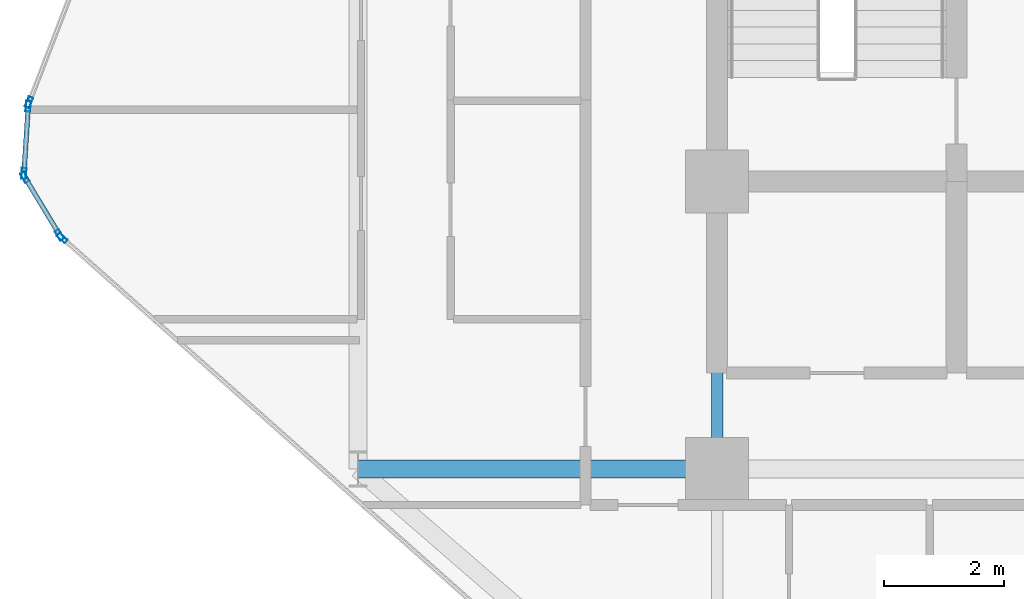
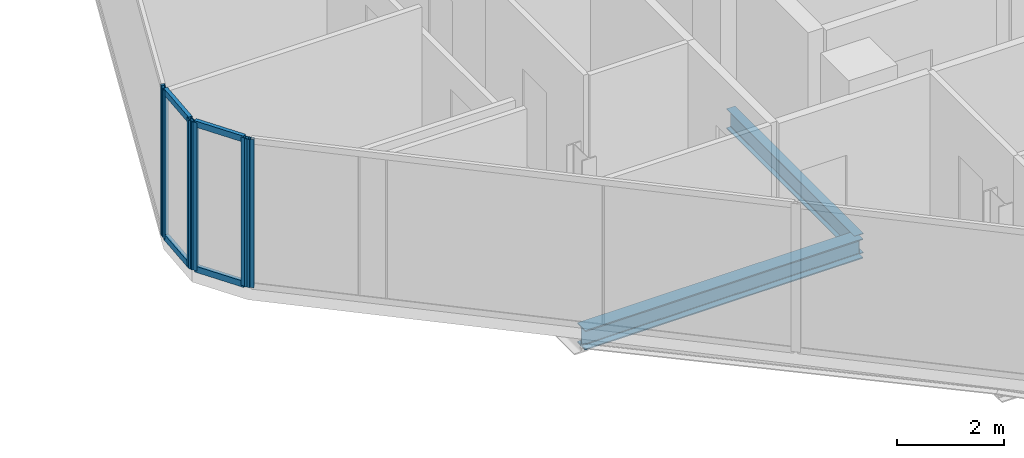
# One storey, part 6 of 30: 10 members, 2 beams, 4 elements without a shape of their own.
"""IFC4 building model written with IfcOpenShell, lengths in metres."""

from ifc_helpers import new_model, si_unit, direction, frame, origin, origin_2d, place, context, subcontext, project, spatial, hollow_rectangle, i_section, extrude, material, layer, layer_set, material_profile, profile_set, type_object, element, aggregate, save


model = new_model("IFC4")

# Units and contexts
model_context = context("Model", 3, precision=1e-05, world=origin(), true_north=direction((0.0, 1.0)))
body_context = subcontext(model_context, "Body", "Model", "MODEL_VIEW")
ifc_project = project(units=[si_unit("LENGTHUNIT", "METRE"), si_unit("AREAUNIT", "SQUARE_METRE"), si_unit("VOLUMEUNIT", "CUBIC_METRE"), si_unit("PLANEANGLEUNIT", "RADIAN"), si_unit("MASSUNIT", "GRAM", prefix="KILO")], contexts=[model_context])

# Site, building, storey
site_placement = place(None, origin())
site = spatial("IfcSite", under=ifc_project, at=site_placement, CompositionType="ELEMENT")
building_placement = place(site_placement, origin())
building = spatial("IfcBuilding", under=site, at=building_placement, Name="Keshet Zoharim Tower", CompositionType="ELEMENT")
storey_placement = place(building_placement, frame((0.0, 0.0, 113.10009765625)))
storey = spatial("IfcBuildingStorey", under=building, at=storey_placement, Name="L27", CompositionType="ELEMENT", Elevation=113.10009765625)

# Beams
ifc_material_1 = material(Name="Steel S355", Category="steel")
ifc_material_profile_1 = material_profile(ifc_material_1, i_section(OverallWidth=0.18994140625, OverallDepth=0.449951171875, WebThickness=0.009521484375, FlangeThickness=0.0146484375, FilletRadius=0.02099609375, at=origin_2d()), Name="IPE450")
ifc_profile_set_1 = profile_set([ifc_material_profile_1], Name="Steel S355")
beam_type_1 = type_object("IfcBeamType", Name="BM-PRI-IP450", PredefinedType="BEAM", material=ifc_profile_set_1)
beam_1_placement = place(storey_placement, frame((15.0, 17.89990234375, -0.5400390625), z_axis=(0.0, 1.0, 0.0), x_axis=(-1.0, 0.0, 0.0)))
element("IfcBeam", 1, at=beam_1_placement, inside=storey, type_object=beam_type_1, Name="L27 Primary Girder Y-003", PredefinedType="BEAM", context=body_context, shape_type="SweptSolid", body=[
    extrude(i_section(OverallWidth=0.18994140625, OverallDepth=0.449951171875, WebThickness=0.009521484375, FlangeThickness=0.0146484375, FilletRadius=0.02099609375, at=origin_2d()), origin(), (0.0, 0.0, 1.0), 4.800048828125),
])
ifc_material_profile_2 = material_profile(ifc_material_1, i_section(OverallWidth=0.300048828125, OverallDepth=0.449951171875, WebThickness=0.013916015625, FlangeThickness=0.02587890625, FilletRadius=0.027099609375, at=origin_2d()), Name="HEB450")
ifc_profile_set_2 = profile_set([ifc_material_profile_2], Name="Steel S355")
beam_type_2 = type_object("IfcBeamType", Name="BM-WEB-HB450", PredefinedType="BEAM", material=ifc_profile_set_2)
beam_2_placement = place(storey_placement, frame((9.0, 17.89990234375, -0.5400390625), z_axis=(1.0, 0.0, 0.0), x_axis=(0.0, 1.0, 0.0)))
element("IfcBeam", 2, at=beam_2_placement, inside=storey, type_object=beam_type_2, Name="L27 Primary Girder X-011", PredefinedType="BEAM", context=body_context, shape_type="SweptSolid", body=[
    extrude(i_section(OverallWidth=0.300048828125, OverallDepth=0.449951171875, WebThickness=0.013916015625, FlangeThickness=0.02587890625, FilletRadius=0.027099609375, at=origin_2d()), origin(), (0.0, 0.0, 1.0), 6.0),
])

# Curtain wall, member
ifc_material_2 = material(Name="Aluminium 6063-T6", Category="aluminium")
ifc_layer = layer(ifc_material_2, 0.159912109375)
ifc_layer_set = layer_set([ifc_layer], Name="Aluminium 6063-T6")
curtain_wall_type = type_object("IfcCurtainWallType", Name="CW-SYS-03", PredefinedType="NOTDEFINED", material=ifc_layer_set)
curtain_wall_1_placement = place(storey_placement, origin())
curtain_wall_1 = element("IfcCurtainWall", 3, at=curtain_wall_1_placement, inside=storey, type_object=curtain_wall_type, Name="L27 Unitised Curtain Wall 07 Part 2", PredefinedType="NOTDEFINED")
ifc_material_profile_3 = material_profile(ifc_material_2, hollow_rectangle(XDim=0.080078125, YDim=0.179931640625, WallThickness=0.00439453125, at=origin_2d()), Name="MUL-80x180")
ifc_profile_set_3 = profile_set([ifc_material_profile_3], Name="Aluminium 6063-T6")
member_type_1 = type_object("IfcMemberType", Name="CWM-M18", PredefinedType="MULLION", material=ifc_profile_set_3)
member_1_placement = place(storey_placement, frame((4.061279296875, 21.7568359375, 0.0), z_axis=(0.0, 0.0, 1.0), x_axis=(-0.664361765187, -0.747411161917, 0.0)))
member_1 = element("IfcMember", 4, at=member_1_placement, type_object=member_type_1, Name="CW-03 mullion 3", PredefinedType="MULLION", context=body_context, shape_type="SweptSolid", body=[
    extrude(hollow_rectangle(XDim=0.080078125, YDim=0.179931640625, WallThickness=0.00439453125, at=origin_2d()), origin(), (0.0, 0.0, 1.0), 3.385009765625),
])
aggregate(curtain_wall_1, [member_1])

# Curtain wall, members
curtain_wall_2_placement = place(storey_placement, origin())
curtain_wall_2 = element("IfcCurtainWall", 5, at=curtain_wall_2_placement, inside=storey, type_object=curtain_wall_type, Name="L27 Unitised Curtain Wall 08", PredefinedType="NOTDEFINED")
member_2_placement = place(storey_placement, frame((4.016845703125, 21.81005859375, 0.0), z_axis=(0.0, 0.0, 1.0), x_axis=(-0.856826433805, -0.515604947933, 0.0)))
member_2 = element("IfcMember", 6, at=member_2_placement, type_object=member_type_1, Name="CW-03 mullion 1", PredefinedType="MULLION", context=body_context, shape_type="SweptSolid", body=[
    extrude(hollow_rectangle(XDim=0.080078125, YDim=0.179931640625, WallThickness=0.00439453125, at=origin_2d()), origin(), (0.0, 0.0, 1.0), 3.385009765625),
])
member_3_placement = place(storey_placement, frame((3.43798828125, 22.77197265625, 0.0), z_axis=(0.0, 0.0, 1.0), x_axis=(-0.856826433805, -0.515604947933, 0.0)))
member_3 = element("IfcMember", 7, at=member_3_placement, type_object=member_type_1, Name="CW-03 mullion 2", PredefinedType="MULLION", context=body_context, shape_type="SweptSolid", body=[
    extrude(hollow_rectangle(XDim=0.080078125, YDim=0.179931640625, WallThickness=0.00439453125, at=origin_2d()), origin(), (0.0, 0.0, 1.0), 3.385009765625),
])

curtain_wall_3_placement = place(storey_placement, origin())
curtain_wall_3 = element("IfcCurtainWall", 8, at=curtain_wall_3_placement, inside=storey, type_object=curtain_wall_type, Name="L27 Unitised Curtain Wall 09", PredefinedType="NOTDEFINED")
member_4_placement = place(storey_placement, frame((3.42236328125, 22.8369140625, 0.0), z_axis=(0.0, 0.0, 1.0), x_axis=(-0.997916617186, 0.064516859374, 0.0)))
member_4 = element("IfcMember", 9, at=member_4_placement, type_object=member_type_1, Name="CW-03 mullion 1", PredefinedType="MULLION", context=body_context, shape_type="SweptSolid", body=[
    extrude(hollow_rectangle(XDim=0.080078125, YDim=0.179931640625, WallThickness=0.00439453125, at=origin_2d()), origin(), (0.0, 0.0, 1.0), 3.385009765625),
])
member_5_placement = place(storey_placement, frame((3.49462890625, 23.9580078125, 0.0), z_axis=(0.0, 0.0, 1.0), x_axis=(-0.997916617186, 0.064516859374, 0.0)))
member_5 = element("IfcMember", 10, at=member_5_placement, type_object=member_type_1, Name="CW-03 mullion 2", PredefinedType="MULLION", context=body_context, shape_type="SweptSolid", body=[
    extrude(hollow_rectangle(XDim=0.080078125, YDim=0.179931640625, WallThickness=0.00439453125, at=origin_2d()), origin(), (0.0, 0.0, 1.0), 3.385009765625),
])

# Curtain wall, member
curtain_wall_4_placement = place(storey_placement, origin())
curtain_wall_4 = element("IfcCurtainWall", 11, at=curtain_wall_4_placement, inside=storey, type_object=curtain_wall_type, Name="L27 Unitised Curtain Wall 10", PredefinedType="NOTDEFINED")
member_6_placement = place(storey_placement, frame((3.509521484375, 24.025634765625, 0.0), z_axis=(0.0, 0.0, 1.0), x_axis=(-0.933341404361, 0.358990003907, 0.0)))
member_6 = element("IfcMember", 12, at=member_6_placement, type_object=member_type_1, Name="CW-03 mullion 1", PredefinedType="MULLION", context=body_context, shape_type="SweptSolid", body=[
    extrude(hollow_rectangle(XDim=0.080078125, YDim=0.179931640625, WallThickness=0.00439453125, at=origin_2d()), origin(), (0.0, 0.0, 1.0), 3.385009765625),
])
aggregate(curtain_wall_4, [member_6])

# Member
ifc_material_profile_4 = material_profile(ifc_material_2, hollow_rectangle(XDim=0.080078125, YDim=0.139892578125, WallThickness=0.00390625, at=origin_2d()), Name="TRN-80x140")
ifc_profile_set_4 = profile_set([ifc_material_profile_4], Name="Aluminium 6063-T6")
member_type_2 = type_object("IfcMemberType", Name="CWT-T14", PredefinedType="USERDEFINED", material=ifc_profile_set_4)
member_7_placement = place(storey_placement, frame((3.9990234375, 21.840087890625, 0.034912109375), z_axis=(-0.515791194107, 0.856714330499, 0.0), x_axis=(-0.856714330499, -0.515791194107, 0.0)))
member_7 = element("IfcMember", 13, at=member_7_placement, type_object=member_type_2, Name="CW-03 transom 1.1", ObjectType="TRANSOM", PredefinedType="USERDEFINED", context=body_context, shape_type="SweptSolid", body=[
    extrude(hollow_rectangle(XDim=0.080078125, YDim=0.139892578125, WallThickness=0.00390625, at=origin_2d()), origin(), (0.0, 0.0, 1.0), 1.052734375),
])

member_8_placement = place(storey_placement, frame((3.9990234375, 21.840087890625, 3.349853515625), z_axis=(-0.515791194107, 0.856714330499, 0.0), x_axis=(-0.856714330499, -0.515791194107, 0.0)))
member_8 = element("IfcMember", 14, at=member_8_placement, type_object=member_type_2, Name="CW-03 transom 1.2", ObjectType="TRANSOM", PredefinedType="USERDEFINED", context=body_context, shape_type="SweptSolid", body=[
    extrude(hollow_rectangle(XDim=0.080078125, YDim=0.139892578125, WallThickness=0.00390625, at=origin_2d()), origin(), (0.0, 0.0, 1.0), 1.052734375),
])

aggregate(curtain_wall_2, [member_2, member_3, member_7, member_8])

member_9_placement = place(storey_placement, frame((3.424560546875, 22.871826171875, 0.034912109375), z_axis=(0.064426947155, 0.997922426083, 0.0), x_axis=(-0.997922426083, 0.064426947155, 0.0)))
member_9 = element("IfcMember", 15, at=member_9_placement, type_object=member_type_2, Name="CW-03 transom 1.1", ObjectType="TRANSOM", PredefinedType="USERDEFINED", context=body_context, shape_type="SweptSolid", body=[
    extrude(hollow_rectangle(XDim=0.080078125, YDim=0.139892578125, WallThickness=0.00390625, at=origin_2d()), origin(), (0.0, 0.0, 1.0), 1.053466796875),
])

member_10_placement = place(storey_placement, frame((3.424560546875, 22.871826171875, 3.349853515625), z_axis=(0.064426947155, 0.997922426083, 0.0), x_axis=(-0.997922426083, 0.064426947155, 0.0)))
member_10 = element("IfcMember", 16, at=member_10_placement, type_object=member_type_2, Name="CW-03 transom 1.2", ObjectType="TRANSOM", PredefinedType="USERDEFINED", context=body_context, shape_type="SweptSolid", body=[
    extrude(hollow_rectangle(XDim=0.080078125, YDim=0.139892578125, WallThickness=0.00390625, at=origin_2d()), origin(), (0.0, 0.0, 1.0), 1.053466796875),
])

aggregate(curtain_wall_3, [member_4, member_5, member_9, member_10])

save(model, "model.ifc")
